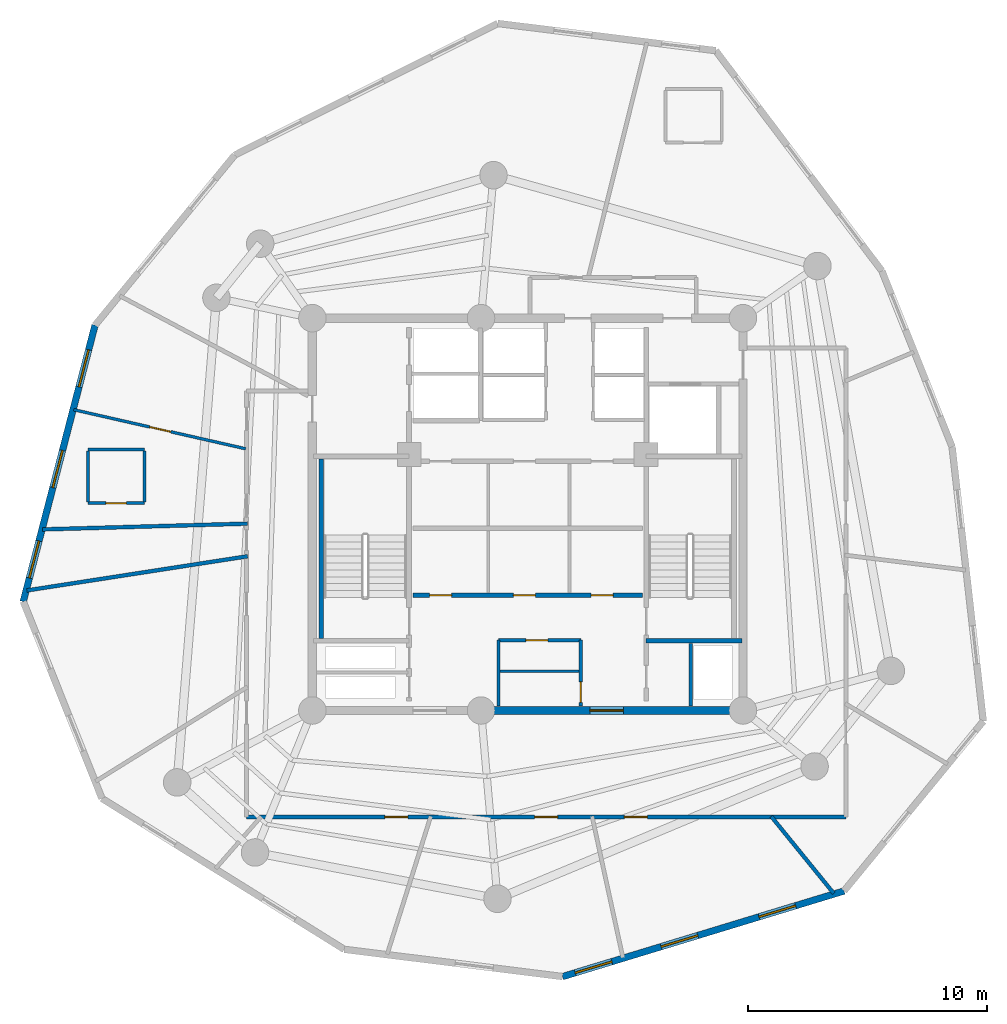
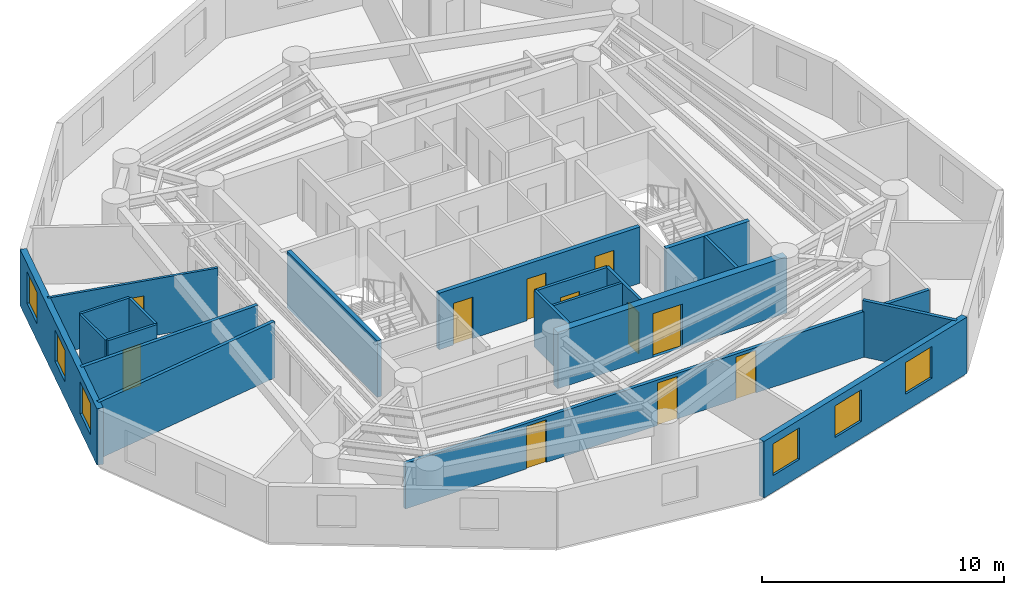
# One storey, part 3 of 7: 20 walls, 11 doors, 6 windows, 17 openings.
"""IFC4 building model written with IfcOpenShell, lengths in metres."""

from ifc_helpers import new_model, si_unit, direction, frame, frame_2d, origin, origin_with_axes, place, context, subcontext, project, spatial, rectangle, extrude, source, transform, mapped, material, layer, layer_set, type_object, element, fill, save


model = new_model("IFC4")

# Units and contexts
model_context = context("Model", 3, precision=1e-05, world=origin(), true_north=direction((0.0, 1.0)))
body_context = subcontext(model_context, "Body", "Model", "MODEL_VIEW")
ifc_project = project(units=[si_unit("LENGTHUNIT", "METRE"), si_unit("AREAUNIT", "SQUARE_METRE"), si_unit("VOLUMEUNIT", "CUBIC_METRE"), si_unit("PLANEANGLEUNIT", "RADIAN"), si_unit("MASSUNIT", "GRAM", prefix="KILO")], contexts=[model_context])

# Site, building, storey
site_placement = place(None, origin())
site = spatial("IfcSite", under=ifc_project, at=site_placement, CompositionType="ELEMENT")
building_placement = place(site_placement, origin())
building = spatial("IfcBuilding", under=site, at=building_placement, Name="Karkom Vertical University and Central Library", CompositionType="ELEMENT")
storey_placement = place(building_placement, frame((0.0, 0.0, 241.300048828125)))
storey = spatial("IfcBuildingStorey", under=building, at=storey_placement, Name="L71", CompositionType="ELEMENT", Elevation=241.300048828125)

# Wall, openings, windows
ifc_material_1 = material(Name="Brick-faced precast concrete C45/55", Category="masonry")
ifc_layer_1 = layer(ifc_material_1, 0.280029296875)
ifc_layer_set_1 = layer_set([ifc_layer_1], Name="Brick-faced precast concrete C45/55")
wall_type_1 = type_object("IfcWallType", Name="ENV-WL-BRK-280", PredefinedType="SOLIDWALL", material=ifc_layer_set_1)
wall_1_placement = place(storey_placement, frame((29.958740234375, 7.174072265625, 0.0), z_axis=(0.0, 0.0, 1.0), x_axis=(0.956678206712, 0.291147400474, 0.0)))
wall_1 = element("IfcWall", 1, at=wall_1_placement, inside=storey, type_object=wall_type_1, Name="Level 71 Brick-Faced Precast Facade Wall 04", PredefinedType="SOLIDWALL", context=body_context, shape_type="SweptSolid", body=[
    extrude(rectangle(XDim=12.301513671875, YDim=0.280029296875, at=frame_2d((6.15087890625, 0.0))), origin(), (0.0, 0.0, 1.0), 2.849853515625),
])
opening_1_placement = place(wall_1_placement, frame((0.55322265625, 0.0, 0.85009765625)))
opening_1 = element("IfcOpeningElement", 2, at=opening_1_placement, cuts=wall_1, Name="Opening WN-10", PredefinedType="OPENING", context=body_context, shape_type="SweptSolid", body=[
    extrude(rectangle(XDim=1.60009765625, YDim=1.60009765625, at=frame_2d((0.800048828125, 0.800048828125))), frame((0.0, 0.14990234375, 0.0), z_axis=(0.0, -1.0, 0.0), x_axis=(1.0, 0.0, 0.0)), (0.0, 0.0, 1.0), 0.300048828125),
])
opening_2_placement = place(wall_1_placement, frame((4.306396484375, 0.0, 0.85009765625)))
opening_2 = element("IfcOpeningElement", 3, at=opening_2_placement, cuts=wall_1, Name="Opening WN-10", PredefinedType="OPENING", context=body_context, shape_type="SweptSolid", body=[
    extrude(rectangle(XDim=1.60009765625, YDim=1.60009765625, at=frame_2d((0.800048828125, 0.800048828125))), frame((0.0, 0.14990234375, 0.0), z_axis=(0.0, -1.0, 0.0), x_axis=(1.0, 0.0, 0.0)), (0.0, 0.0, 1.0), 0.300048828125),
])
opening_3_placement = place(wall_1_placement, frame((8.5859375, 0.0, 0.85009765625)))
opening_3 = element("IfcOpeningElement", 4, at=opening_3_placement, cuts=wall_1, Name="Opening WN-10", PredefinedType="OPENING", context=body_context, shape_type="SweptSolid", body=[
    extrude(rectangle(XDim=1.60009765625, YDim=1.60009765625, at=frame_2d((0.800048828125, 0.800048828125))), frame((0.0, 0.14990234375, 0.0), z_axis=(0.0, -1.0, 0.0), x_axis=(1.0, 0.0, 0.0)), (0.0, 0.0, 1.0), 0.300048828125),
])
ifc_material_2 = material(Name="Aluminium thermal-break frame with solar-control IGU", Category="aluminium")
window_type = type_object("IfcWindowType", Name="ENV-WIN-WN-10", PartitioningType="SINGLE_PANEL", PredefinedType="WINDOW", material=ifc_material_2)
shared_shape_1 = source(origin_with_axes(), body_context, "Body", "SweptSolid", [
    extrude(rectangle(XDim=1.60009765625, YDim=1.60009765625, at=frame_2d((0.800048828125, 0.800048828125))), frame((0.0, 0.030029296875, 0.0), z_axis=(0.0, -1.0, 0.0), x_axis=(1.0, 0.0, 0.0)), (0.0, 0.0, 1.0), 0.06005859375),
])
window_1_placement = place(opening_1_placement, origin())
window_1 = element("IfcWindow", 5, at=window_1_placement, inside=storey, type_object=window_type, Name="Level 71 Punched Window 4.1", OverallHeight=1.60009765625, OverallWidth=1.60009765625, PartitioningType="SINGLE_PANEL", PredefinedType="WINDOW", context=body_context, shape_type="MappedRepresentation", body=[
    mapped(shared_shape_1, transform((0.0, 0.0, 0.0), scale=1.0)),
])
fill(opening_1, window_1)
window_2_placement = place(opening_2_placement, origin())
window_2 = element("IfcWindow", 6, at=window_2_placement, inside=storey, type_object=window_type, Name="Level 71 Punched Window 4.2", OverallHeight=1.60009765625, OverallWidth=1.60009765625, PartitioningType="SINGLE_PANEL", PredefinedType="WINDOW", context=body_context, shape_type="MappedRepresentation", body=[
    mapped(shared_shape_1, transform((0.0, 0.0, 0.0), scale=1.0)),
])
fill(opening_2, window_2)
window_3_placement = place(opening_3_placement, origin())
window_3 = element("IfcWindow", 7, at=window_3_placement, inside=storey, type_object=window_type, Name="Level 71 Punched Window 4.3", OverallHeight=1.60009765625, OverallWidth=1.60009765625, PartitioningType="SINGLE_PANEL", PredefinedType="WINDOW", context=body_context, shape_type="MappedRepresentation", body=[
    mapped(shared_shape_1, transform((0.0, 0.0, 0.0), scale=1.0)),
])
fill(opening_3, window_3)

wall_2_placement = place(storey_placement, frame((10.414306640625, 34.407470703125, 0.0), z_axis=(0.0, 0.0, 1.0), x_axis=(-0.251342621203, -0.967898179958, 0.0)))
wall_2 = element("IfcWall", 8, at=wall_2_placement, inside=storey, type_object=wall_type_1, Name="Level 71 Brick-Faced Precast Facade Wall 12", PredefinedType="SOLIDWALL", context=body_context, shape_type="SweptSolid", body=[
    extrude(rectangle(XDim=11.935791015625, YDim=0.280029296875, at=frame_2d((5.9677734375, 0.0))), origin(), (0.0, 0.0, 1.0), 2.849853515625),
])
opening_4_placement = place(wall_2_placement, frame((1.061279296875, 0.0, 0.85009765625)))
opening_4 = element("IfcOpeningElement", 9, at=opening_4_placement, cuts=wall_2, Name="Opening WN-10", PredefinedType="OPENING", context=body_context, shape_type="SweptSolid", body=[
    extrude(rectangle(XDim=1.60009765625, YDim=1.60009765625, at=frame_2d((0.800048828125, 0.800048828125))), frame((0.0, 0.14990234375, 0.0), z_axis=(0.0, -1.0, 0.0), x_axis=(1.0, 0.0, 0.0)), (0.0, 0.0, 1.0), 0.300048828125),
])
opening_5_placement = place(wall_2_placement, frame((5.4130859375, 0.0, 0.85009765625)))
opening_5 = element("IfcOpeningElement", 10, at=opening_5_placement, cuts=wall_2, Name="Opening WN-10", PredefinedType="OPENING", context=body_context, shape_type="SweptSolid", body=[
    extrude(rectangle(XDim=1.60009765625, YDim=1.60009765625, at=frame_2d((0.800048828125, 0.800048828125))), frame((0.0, 0.14990234375, 0.0), z_axis=(0.0, -1.0, 0.0), x_axis=(1.0, 0.0, 0.0)), (0.0, 0.0, 1.0), 0.300048828125),
])
opening_6_placement = place(wall_2_placement, frame((9.3193359375, 0.0, 0.85009765625)))
opening_6 = element("IfcOpeningElement", 11, at=opening_6_placement, cuts=wall_2, Name="Opening WN-10", PredefinedType="OPENING", context=body_context, shape_type="SweptSolid", body=[
    extrude(rectangle(XDim=1.60009765625, YDim=1.60009765625, at=frame_2d((0.800048828125, 0.800048828125))), frame((0.0, 0.14990234375, 0.0), z_axis=(0.0, -1.0, 0.0), x_axis=(1.0, 0.0, 0.0)), (0.0, 0.0, 1.0), 0.300048828125),
])
window_4_placement = place(opening_4_placement, origin())
window_4 = element("IfcWindow", 12, at=window_4_placement, inside=storey, type_object=window_type, Name="Level 71 Punched Window 12.1", OverallHeight=1.60009765625, OverallWidth=1.60009765625, PartitioningType="SINGLE_PANEL", PredefinedType="WINDOW", context=body_context, shape_type="MappedRepresentation", body=[
    mapped(shared_shape_1, transform((0.0, 0.0, 0.0), scale=1.0)),
])
fill(opening_4, window_4)
window_5_placement = place(opening_5_placement, origin())
window_5 = element("IfcWindow", 13, at=window_5_placement, inside=storey, type_object=window_type, Name="Level 71 Punched Window 12.2", OverallHeight=1.60009765625, OverallWidth=1.60009765625, PartitioningType="SINGLE_PANEL", PredefinedType="WINDOW", context=body_context, shape_type="MappedRepresentation", body=[
    mapped(shared_shape_1, transform((0.0, 0.0, 0.0), scale=1.0)),
])
fill(opening_5, window_5)
window_6_placement = place(opening_6_placement, origin())
window_6 = element("IfcWindow", 14, at=window_6_placement, inside=storey, type_object=window_type, Name="Level 71 Punched Window 12.3", OverallHeight=1.60009765625, OverallWidth=1.60009765625, PartitioningType="SINGLE_PANEL", PredefinedType="WINDOW", context=body_context, shape_type="MappedRepresentation", body=[
    mapped(shared_shape_1, transform((0.0, 0.0, 0.0), scale=1.0)),
])
fill(opening_6, window_6)

# Wall, openings, doors
ifc_material_3 = material(Name="Insulated metal-stud drywall 160mm", Category="gypsum")
ifc_layer_2 = layer(ifc_material_3, 0.159912109375)
ifc_layer_set_2 = layer_set([ifc_layer_2], Name="Insulated metal-stud drywall 160mm")
wall_type_2 = type_object("IfcWallType", Name="INT-WL-COR-160", PredefinedType="PARTITIONING", material=ifc_layer_set_2)
wall_3_placement = place(storey_placement, frame((41.800048828125, 13.85009765625, 0.0), z_axis=(0.0, 0.0, 1.0), x_axis=(-1.0, 0.0, 0.0)))
wall_3 = element("IfcWall", 15, at=wall_3_placement, inside=storey, type_object=wall_type_2, Name="Level 71 Interior Partition Wall L71-CORW-CW-001", PredefinedType="PARTITIONING", context=body_context, shape_type="SweptSolid", body=[
    extrude(rectangle(XDim=25.050048828125, YDim=0.159912109375, at=frame_2d((12.52490234375, 0.0))), origin(), (0.0, 0.0, 1.0), 2.300048828125),
])
opening_7_placement = place(wall_3_placement, frame((18.3125, 0.0, 0.0)))
opening_7 = element("IfcOpeningElement", 16, at=opening_7_placement, cuts=wall_3, Name="Opening FD-RM2", PredefinedType="OPENING", context=body_context, shape_type="SweptSolid", body=[
    extrude(rectangle(XDim=0.9599609375, YDim=2.14990234375, at=frame_2d((0.47998046875, 1.074951171875))), frame((0.0, 0.08984375, 0.0), z_axis=(0.0, -1.0, 0.0), x_axis=(1.0, 0.0, 0.0)), (0.0, 0.0, 1.0), 0.179931640625),
])
opening_8_placement = place(wall_3_placement, frame((12.050048828125, 0.0, 0.0)))
opening_8 = element("IfcOpeningElement", 17, at=opening_8_placement, cuts=wall_3, Name="Opening FD-RM2", PredefinedType="OPENING", context=body_context, shape_type="SweptSolid", body=[
    extrude(rectangle(XDim=0.9599609375, YDim=2.14990234375, at=frame_2d((0.47998046875, 1.074951171875))), frame((0.0, 0.08984375, 0.0), z_axis=(0.0, -1.0, 0.0), x_axis=(1.0, 0.0, 0.0)), (0.0, 0.0, 1.0), 0.179931640625),
])
opening_9_placement = place(wall_3_placement, frame((8.29248046875, 0.0, 0.0)))
opening_9 = element("IfcOpeningElement", 18, at=opening_9_placement, cuts=wall_3, Name="Opening FD-RM2", PredefinedType="OPENING", context=body_context, shape_type="SweptSolid", body=[
    extrude(rectangle(XDim=0.9599609375, YDim=2.14990234375, at=frame_2d((0.47998046875, 1.074951171875))), frame((0.0, 0.08984375, 0.0), z_axis=(0.0, -1.0, 0.0), x_axis=(1.0, 0.0, 0.0)), (0.0, 0.0, 1.0), 0.179931640625),
])
ifc_material_4 = material(Name="Fire-rated oak veneer door", Category="wood")
door_type_1 = type_object("IfcDoorType", Name="INT-DR-FRM2", OperationType="NOTDEFINED", PredefinedType="DOOR", material=ifc_material_4)
shared_shape_2 = source(origin_with_axes(), body_context, "Body", "SweptSolid", [
    extrude(rectangle(XDim=0.9599609375, YDim=2.14990234375, at=frame_2d((0.47998046875, 1.074951171875))), frame((0.0, 0.02490234375, 0.0), z_axis=(0.0, -1.0, 0.0), x_axis=(1.0, 0.0, 0.0)), (0.0, 0.0, 1.0), 0.050048828125),
])
door_1_placement = place(opening_7_placement, origin())
door_1 = element("IfcDoor", 19, at=door_1_placement, inside=storey, type_object=door_type_1, Name="Level 71 Room Entry Door 303", OperationType="SINGLE_SWING_LEFT", OverallHeight=2.14990234375, OverallWidth=0.9599609375, PredefinedType="DOOR", context=body_context, shape_type="MappedRepresentation", body=[
    mapped(shared_shape_2, transform((0.0, 0.0, 0.0), scale=1.0)),
])
fill(opening_7, door_1)
door_2_placement = place(opening_8_placement, origin())
door_2 = element("IfcDoor", 20, at=door_2_placement, inside=storey, type_object=door_type_1, Name="Level 71 Room Entry Door 304", OperationType="SINGLE_SWING_RIGHT", OverallHeight=2.14990234375, OverallWidth=0.9599609375, PredefinedType="DOOR", context=body_context, shape_type="MappedRepresentation", body=[
    mapped(shared_shape_2, transform((0.0, 0.0, 0.0), scale=1.0)),
])
fill(opening_8, door_2)
door_3_placement = place(opening_9_placement, origin())
door_3 = element("IfcDoor", 21, at=door_3_placement, inside=storey, type_object=door_type_1, Name="Level 71 Room Entry Door 305", OperationType="SINGLE_SWING_LEFT", OverallHeight=2.14990234375, OverallWidth=0.9599609375, PredefinedType="DOOR", context=body_context, shape_type="MappedRepresentation", body=[
    mapped(shared_shape_2, transform((0.0, 0.0, 0.0), scale=1.0)),
])
fill(opening_9, door_3)

# Walls
wall_4_placement = place(storey_placement, frame((16.79443359375, 24.747802734375, 0.0), z_axis=(0.0, 0.0, 1.0), x_axis=(-0.98821552916, -0.153068833948, 0.0)))
element("IfcWall", 22, at=wall_4_placement, inside=storey, type_object=wall_type_2, Name="Level 71 Interior Partition Wall L71-PW-001", PredefinedType="PARTITIONING", context=body_context, shape_type="SweptSolid", body=[
    extrude(rectangle(XDim=9.338623046875, YDim=0.159912109375, at=frame_2d((4.66943359375, 0.0))), origin(), (0.0, 0.0, 1.0), 2.849853515625),
])
wall_5_placement = place(storey_placement, frame((8.2255859375, 25.8701171875, 0.0), z_axis=(0.0, 0.0, 1.0), x_axis=(0.999604899221, 0.02810774723, 0.0)))
element("IfcWall", 23, at=wall_5_placement, inside=storey, type_object=wall_type_2, Name="Level 71 Interior Partition Wall L71-PW-002", PredefinedType="PARTITIONING", context=body_context, shape_type="SweptSolid", body=[
    extrude(rectangle(XDim=8.572998046875, YDim=0.159912109375, at=frame_2d((4.28662109375, 0.0))), origin(), (0.0, 0.0, 1.0), 2.849853515625),
])
wall_6_placement = place(storey_placement, frame((38.680908203125, 13.873291015625, 0.0), z_axis=(0.0, 0.0, 1.0), x_axis=(0.630543857515, -0.776153621231, 0.0)))
element("IfcWall", 24, at=wall_6_placement, inside=storey, type_object=wall_type_2, Name="Level 71 Interior Partition Wall L71-PW-009", PredefinedType="PARTITIONING", context=body_context, shape_type="SweptSolid", body=[
    extrude(rectangle(XDim=4.146484375, YDim=0.159912109375, at=frame_2d((2.0732421875, 0.0))), origin(), (0.0, 0.0, 1.0), 2.849853515625),
])

# Wall, opening, door
ifc_material_5 = material(Name="Moisture-resistant drywall 120mm", Category="gypsum")
ifc_layer_3 = layer(ifc_material_5, 0.1201171875)
ifc_layer_set_3 = layer_set([ifc_layer_3], Name="Moisture-resistant drywall 120mm")
wall_type_3 = type_object("IfcWallType", Name="INT-WL-INT-120", PredefinedType="PARTITIONING", material=ifc_layer_set_3)
wall_7_placement = place(storey_placement, frame((16.7138671875, 29.240234375, 0.0), z_axis=(0.0, 0.0, 1.0), x_axis=(-0.975127977507, 0.221642566947, 0.0)))
wall_7 = element("IfcWall", 25, at=wall_7_placement, inside=storey, type_object=wall_type_3, Name="Level 71 Interior Partition Wall L71-APT-12-DIV", PredefinedType="PARTITIONING", context=body_context, shape_type="SweptSolid", body=[
    extrude(rectangle(XDim=7.37451171875, YDim=0.1201171875, at=frame_2d((3.687255859375, 0.0))), origin(), (0.0, 0.0, 1.0), 2.849853515625),
])
opening_10_placement = place(wall_7_placement, frame((3.21240234375, 0.0, 0.0)))
opening_10 = element("IfcOpeningElement", 26, at=opening_10_placement, cuts=wall_7, Name="Opening D-INT1", PredefinedType="OPENING", context=body_context, shape_type="SweptSolid", body=[
    extrude(rectangle(XDim=0.89990234375, YDim=2.10009765625, at=frame_2d((0.449951171875, 1.050048828125))), frame((0.0, 0.070068359375, 0.0), z_axis=(0.0, -1.0, 0.0), x_axis=(1.0, 0.0, 0.0)), (0.0, 0.0, 1.0), 0.14013671875),
])
ifc_material_6 = material(Name="Painted solid-core timber door", Category="wood")
door_type_2 = type_object("IfcDoorType", Name="INT-DR-INT1", OperationType="NOTDEFINED", PredefinedType="DOOR", material=ifc_material_6)
shared_shape_3 = source(origin_with_axes(), body_context, "Body", "SweptSolid", [
    extrude(rectangle(XDim=0.89990234375, YDim=2.10009765625, at=frame_2d((0.449951171875, 1.050048828125))), frame((0.0, 0.02490234375, 0.0), z_axis=(0.0, -1.0, 0.0), x_axis=(1.0, 0.0, 0.0)), (0.0, 0.0, 1.0), 0.050048828125),
])
door_4_placement = place(opening_10_placement, origin())
door_4 = element("IfcDoor", 27, at=door_4_placement, inside=storey, type_object=door_type_2, Name="Level 71 Flat L71-12 Internal Door", OperationType="SINGLE_SWING_RIGHT", OverallHeight=2.10009765625, OverallWidth=0.89990234375, PredefinedType="DOOR", context=body_context, shape_type="MappedRepresentation", body=[
    mapped(shared_shape_3, transform((0.0, 0.0, 0.0), scale=1.0)),
])
fill(opening_10, door_4)

# Wall
wall_8_placement = place(storey_placement, frame((27.280029296875, 19.93994140625, 0.0), z_axis=(0.0, 0.0, 1.0), x_axis=(1.0, 0.0, 0.0)))
element("IfcWall", 28, at=wall_8_placement, inside=storey, type_object=wall_type_3, Name="Level 71 Interior Partition Wall L71-CW-K4-DIV", PredefinedType="PARTITIONING", context=body_context, shape_type="SweptSolid", body=[
    extrude(rectangle(XDim=3.43994140625, YDim=0.1201171875, at=frame_2d((1.719970703125, 0.0))), origin(), (0.0, 0.0, 1.0), 2.849853515625),
])

# Wall, opening, door
ifc_layer_4 = layer(ifc_material_5, 0.1201171875)
ifc_layer_set_4 = layer_set([ifc_layer_4], Name="Moisture-resistant drywall 120mm")
wall_type_4 = type_object("IfcWallType", Name="INT-WL-INT-120F", PredefinedType="PARTITIONING", material=ifc_layer_set_4)
wall_9_placement = place(storey_placement, frame((10.1201171875, 26.968017578125, 0.0), z_axis=(0.0, 0.0, 1.0), x_axis=(1.0, 0.0, 0.0)))
wall_9 = element("IfcWall", 29, at=wall_9_placement, inside=storey, type_object=wall_type_4, Name="Level 71 Interior Partition Wall L71-ENS-51-S", PredefinedType="PARTITIONING", context=body_context, shape_type="SweptSolid", body=[
    extrude(rectangle(XDim=2.35986328125, YDim=0.1201171875, at=frame_2d((1.179931640625, 0.0))), origin(), (0.0, 0.0, 1.0), 2.849853515625),
])
opening_11_placement = place(wall_9_placement, frame((0.75, 0.0, 0.0)))
opening_11 = element("IfcOpeningElement", 30, at=opening_11_placement, cuts=wall_9, Name="Opening D-BATH", PredefinedType="OPENING", context=body_context, shape_type="SweptSolid", body=[
    extrude(rectangle(XDim=0.860107421875, YDim=2.10009765625, at=frame_2d((0.43017578125, 1.050048828125))), frame((0.0, 0.070068359375, 0.0), z_axis=(0.0, -1.0, 0.0), x_axis=(1.0, 0.0, 0.0)), (0.0, 0.0, 1.0), 0.14013671875),
])
ifc_material_7 = material(Name="Moisture-resistant oak door", Category="wood")
door_type_3 = type_object("IfcDoorType", Name="INT-DR-BATH", OperationType="NOTDEFINED", PredefinedType="DOOR", material=ifc_material_7)
shared_shape_4 = source(origin_with_axes(), body_context, "Body", "SweptSolid", [
    extrude(rectangle(XDim=0.860107421875, YDim=2.10009765625, at=frame_2d((0.43017578125, 1.050048828125))), frame((0.0, 0.02490234375, 0.0), z_axis=(0.0, -1.0, 0.0), x_axis=(1.0, 0.0, 0.0)), (0.0, 0.0, 1.0), 0.050048828125),
])
door_5_placement = place(opening_11_placement, origin())
door_5 = element("IfcDoor", 31, at=door_5_placement, inside=storey, type_object=door_type_3, Name="Level 71 En-Suite Bathroom Door 51", OperationType="SINGLE_SWING_LEFT", OverallHeight=2.10009765625, OverallWidth=0.860107421875, PredefinedType="DOOR", context=body_context, shape_type="MappedRepresentation", body=[
    mapped(shared_shape_4, transform((0.0, 0.0, 0.0), scale=1.0)),
])
fill(opening_11, door_5)

# Walls
wall_10_placement = place(storey_placement, frame((12.47998046875, 29.2080078125, 0.0), z_axis=(0.0, 0.0, 1.0), x_axis=(-1.0, 0.0, 0.0)))
element("IfcWall", 32, at=wall_10_placement, inside=storey, type_object=wall_type_4, Name="Level 71 Interior Partition Wall L71-ENS-51-N", PredefinedType="PARTITIONING", context=body_context, shape_type="SweptSolid", body=[
    extrude(rectangle(XDim=2.35986328125, YDim=0.1201171875, at=frame_2d((1.179931640625, 0.0))), origin(), (0.0, 0.0, 1.0), 2.849853515625),
])
for number, where, z_axis, x_axis, name in (
    (33, (12.47998046875, 27.01806640625, 0.0), (0.0, 0.0, 1.0), (0.0, 1.0, 0.0), "Level 71 Interior Partition Wall L71-ENS-51-E"),
    (34, (10.1201171875, 29.157958984375, 0.0), (0.0, 0.0, 1.0), (0.0, -1.0, 0.0), "Level 71 Interior Partition Wall L71-ENS-51-W"),
):
    element("IfcWall", number, at=place(storey_placement, frame(where, z_axis=z_axis, x_axis=x_axis)), inside=storey, type_object=wall_type_4, Name=name, PredefinedType="PARTITIONING", context=body_context, shape_type="SweptSolid", body=[
        extrude(rectangle(XDim=2.139892578125, YDim=0.1201171875, at=frame_2d((1.06982421875, 0.0))), origin(), (0.0, 0.0, 1.0), 2.849853515625),
    ])

# Wall, opening, door
ifc_material_8 = material(Name="Metal-stud gypsum partition 140mm", Category="gypsum")
ifc_layer_5 = layer(ifc_material_8, 0.139892578125)
ifc_layer_set_5 = layer_set([ifc_layer_5], Name="Metal-stud gypsum partition 140mm")
wall_type_5 = type_object("IfcWallType", Name="INT-WL-SUB-140", PredefinedType="PARTITIONING", material=ifc_layer_set_5)
wall_11_placement = place(storey_placement, frame((27.280029296875, 21.239990234375, 0.0), z_axis=(0.0, 0.0, 1.0), x_axis=(1.0, 0.0, 0.0)))
wall_11 = element("IfcWall", 35, at=wall_11_placement, inside=storey, type_object=wall_type_5, Name="Level 71 Interior Partition Wall L71-CW-KBAY-N", PredefinedType="PARTITIONING", context=body_context, shape_type="SweptSolid", body=[
    extrude(rectangle(XDim=3.43994140625, YDim=0.139892578125, at=frame_2d((1.719970703125, 0.0))), origin(), (0.0, 0.0, 1.0), 2.849853515625),
])
opening_12_placement = place(wall_11_placement, frame((1.14990234375, 0.0, 0.0)))
opening_12 = element("IfcOpeningElement", 36, at=opening_12_placement, cuts=wall_11, Name="Opening D-SVC1", PredefinedType="OPENING", context=body_context, shape_type="SweptSolid", body=[
    extrude(rectangle(XDim=0.919921875, YDim=2.10009765625, at=frame_2d((0.4599609375, 1.050048828125))), frame((0.0, 0.080078125, 0.0), z_axis=(0.0, -1.0, 0.0), x_axis=(1.0, 0.0, 0.0)), (0.0, 0.0, 1.0), 0.159912109375),
])
ifc_material_9 = material(Name="Painted timber service door", Category="wood")
door_type_4 = type_object("IfcDoorType", Name="INT-DR-SVC1", OperationType="NOTDEFINED", PredefinedType="DOOR", material=ifc_material_9)
shared_shape_5 = source(origin_with_axes(), body_context, "Body", "SweptSolid", [
    extrude(rectangle(XDim=0.919921875, YDim=2.10009765625, at=frame_2d((0.4599609375, 1.050048828125))), frame((0.0, 0.02490234375, 0.0), z_axis=(0.0, -1.0, 0.0), x_axis=(1.0, 0.0, 0.0)), (0.0, 0.0, 1.0), 0.050048828125),
])
door_6_placement = place(opening_12_placement, origin())
door_6 = element("IfcDoor", 37, at=door_6_placement, inside=storey, type_object=door_type_4, Name="Level 71 Valve Cupboard Door", OperationType="SINGLE_SWING_LEFT", OverallHeight=2.10009765625, OverallWidth=0.919921875, PredefinedType="DOOR", context=body_context, shape_type="MappedRepresentation", body=[
    mapped(shared_shape_5, transform((0.0, 0.0, 0.0), scale=1.0)),
])
fill(opening_12, door_6)

# Wall
wall_12_placement = place(storey_placement, frame((27.280029296875, 18.48193359375, 0.0), z_axis=(0.0, 0.0, 1.0), x_axis=(0.0, 1.0, 0.0)))
element("IfcWall", 38, at=wall_12_placement, inside=storey, type_object=wall_type_5, Name="Level 71 Interior Partition Wall L71-CW-KBAY-W", PredefinedType="PARTITIONING", context=body_context, shape_type="SweptSolid", body=[
    extrude(rectangle(XDim=2.758056640625, YDim=0.139892578125, at=frame_2d((1.37890625, 0.0))), origin(), (0.0, 0.0, 1.0), 2.849853515625),
])

# Wall, opening, door
wall_13_placement = place(storey_placement, frame((30.719970703125, 18.48193359375, 0.0), z_axis=(0.0, 0.0, 1.0), x_axis=(0.0, 1.0, 0.0)))
wall_13 = element("IfcWall", 39, at=wall_13_placement, inside=storey, type_object=wall_type_5, Name="Level 71 Interior Partition Wall L71-CW-KBAY-E", PredefinedType="PARTITIONING", context=body_context, shape_type="SweptSolid", body=[
    extrude(rectangle(XDim=2.758056640625, YDim=0.139892578125, at=frame_2d((1.37890625, 0.0))), origin(), (0.0, 0.0, 1.0), 2.849853515625),
])
opening_13_placement = place(wall_13_placement, frame((0.159912109375, 0.0, 0.0)))
opening_13 = element("IfcOpeningElement", 40, at=opening_13_placement, cuts=wall_13, Name="Opening FD-BTH1", PredefinedType="OPENING", context=body_context, shape_type="SweptSolid", body=[
    extrude(rectangle(XDim=0.860107421875, YDim=2.10009765625, at=frame_2d((0.43017578125, 1.050048828125))), frame((0.0, 0.080078125, 0.0), z_axis=(0.0, -1.0, 0.0), x_axis=(1.0, 0.0, 0.0)), (0.0, 0.0, 1.0), 0.159912109375),
])
ifc_material_10 = material(Name="Fire-rated moisture-resistant oak door", Category="wood")
door_type_5 = type_object("IfcDoorType", Name="INT-DR-FBTH1", OperationType="NOTDEFINED", PredefinedType="DOOR", material=ifc_material_10)
door_7_placement = place(opening_13_placement, origin())
door_7 = element("IfcDoor", 41, at=door_7_placement, inside=storey, type_object=door_type_5, Name="Level 71 Metering Cupboard Door", OperationType="SINGLE_SWING_RIGHT", OverallHeight=2.10009765625, OverallWidth=0.860107421875, PredefinedType="DOOR", context=body_context, shape_type="MappedRepresentation", body=[
    mapped(shared_shape_4, transform((0.0, 0.0, 0.0), scale=1.0)),
])
fill(opening_13, door_7)

# Wall
ifc_layer_6 = layer(ifc_material_8, 0.139892578125)
ifc_layer_set_6 = layer_set([ifc_layer_6], Name="Metal-stud gypsum partition 140mm")
wall_type_6 = type_object("IfcWallType", Name="INT-WL-SUB-140H", PredefinedType="PARTITIONING", material=ifc_layer_set_6)
wall_14_placement = place(storey_placement, frame((35.320068359375, 18.48193359375, 0.0), z_axis=(0.0, 0.0, 1.0), x_axis=(0.0, 1.0, 0.0)))
element("IfcWall", 42, at=wall_14_placement, inside=storey, type_object=wall_type_6, Name="Level 71 Interior Partition Wall L71-CW-RIS-E", PredefinedType="PARTITIONING", context=body_context, shape_type="SweptSolid", body=[
    extrude(rectangle(XDim=2.629150390625, YDim=0.139892578125, at=frame_2d((1.314453125, 0.0))), origin(), (0.0, 0.0, 1.0), 2.849853515625),
])

# Wall, opening, door
ifc_material_11 = material(Name="Concrete C45/55", Category="concrete")
ifc_layer_7 = layer(ifc_material_11, 0.35009765625)
ifc_layer_set_7 = layer_set([ifc_layer_7], Name="Concrete C45/55")
wall_type_7 = type_object("IfcWallType", Name="STR-WL-CW-350", PredefinedType="SHEAR", material=ifc_layer_set_7)
wall_15_placement = place(storey_placement, frame((26.550048828125, 18.300048828125, 0.0), z_axis=(0.0, 0.0, 1.0), x_axis=(1.0, 0.0, 0.0)))
wall_15 = element("IfcWall", 43, at=wall_15_placement, inside=storey, type_object=wall_type_7, Name="Level 71 Central Core Shear Wall SW2", PredefinedType="SHEAR", context=body_context, shape_type="SweptSolid", body=[
    extrude(rectangle(XDim=10.949951171875, YDim=0.35009765625, at=frame_2d((5.47509765625, 0.0))), origin(), (0.0, 0.0, 1.0), 2.849853515625),
])
opening_14_placement = place(wall_15_placement, frame((4.550048828125, 0.0, 0.0)))
opening_14 = element("IfcOpeningElement", 44, at=opening_14_placement, cuts=wall_15, Name="Opening FD-CLB", PredefinedType="OPENING", context=body_context, shape_type="SweptSolid", body=[
    extrude(rectangle(XDim=1.39990234375, YDim=2.199951171875, at=frame_2d((0.699951171875, 1.10009765625))), frame((0.0, 0.18505859375, 0.0), z_axis=(0.0, -1.0, 0.0), x_axis=(1.0, 0.0, 0.0)), (0.0, 0.0, 1.0), 0.3701171875),
])
ifc_material_12 = material(Name="Painted steel fire door", Category="steel")
door_type_6 = type_object("IfcDoorType", Name="INT-DR-CLB", OperationType="DOUBLE_DOOR_SINGLE_SWING", PredefinedType="DOOR", material=ifc_material_12)
shared_shape_6 = source(origin_with_axes(), body_context, "Body", "SweptSolid", [
    extrude(rectangle(XDim=1.39990234375, YDim=2.199951171875, at=frame_2d((0.699951171875, 1.10009765625))), frame((0.0, 0.02490234375, 0.0), z_axis=(0.0, -1.0, 0.0), x_axis=(1.0, 0.0, 0.0)), (0.0, 0.0, 1.0), 0.050048828125),
])
door_8_placement = place(opening_14_placement, origin())
door_8 = element("IfcDoor", 45, at=door_8_placement, inside=storey, type_object=door_type_6, Name="Level 71 South Core Lobby East Exit Door", OperationType="DOUBLE_DOOR_SINGLE_SWING", OverallHeight=2.199951171875, OverallWidth=1.39990234375, PredefinedType="DOOR", context=body_context, shape_type="MappedRepresentation", body=[
    mapped(shared_shape_6, transform((0.0, 0.0, 0.0), scale=1.0)),
])
fill(opening_14, door_8)

# Wall, openings, doors
ifc_layer_8 = layer(ifc_material_11, 0.199951171875)
ifc_layer_set_8 = layer_set([ifc_layer_8], Name="Concrete C45/55")
wall_type_8 = type_object("IfcWallType", Name="STR-WL-ST-200", PredefinedType="SHEAR", material=ifc_layer_set_8)
wall_16_placement = place(storey_placement, frame((23.699951171875, 23.1201171875, 0.0), z_axis=(0.0, 0.0, 1.0), x_axis=(1.0, 0.0, 0.0)))
wall_16 = element("IfcWall", 46, at=wall_16_placement, inside=storey, type_object=wall_type_8, Name="Level 71 Core Shaft Wall L71-CW-B1-S", PredefinedType="SHEAR", context=body_context, shape_type="SweptSolid", body=[
    extrude(rectangle(XDim=9.60009765625, YDim=0.199951171875, at=frame_2d((4.800048828125, 0.0))), origin(), (0.0, 0.0, 1.0), 2.849853515625),
])
opening_15_placement = place(wall_16_placement, frame((0.699951171875, 0.0, 0.0)))
opening_15 = element("IfcOpeningElement", 47, at=opening_15_placement, cuts=wall_16, Name="Opening D-SVC1", PredefinedType="OPENING", context=body_context, shape_type="SweptSolid", body=[
    extrude(rectangle(XDim=0.919921875, YDim=2.10009765625, at=frame_2d((0.4599609375, 1.050048828125))), frame((0.0, 0.10986328125, 0.0), z_axis=(0.0, -1.0, 0.0), x_axis=(1.0, 0.0, 0.0)), (0.0, 0.0, 1.0), 0.219970703125),
])
opening_16_placement = place(wall_16_placement, frame((4.199951171875, 0.0, 0.0)))
opening_16 = element("IfcOpeningElement", 48, at=opening_16_placement, cuts=wall_16, Name="Opening D-SVC1", PredefinedType="OPENING", context=body_context, shape_type="SweptSolid", body=[
    extrude(rectangle(XDim=0.919921875, YDim=2.10009765625, at=frame_2d((0.4599609375, 1.050048828125))), frame((0.0, 0.10986328125, 0.0), z_axis=(0.0, -1.0, 0.0), x_axis=(1.0, 0.0, 0.0)), (0.0, 0.0, 1.0), 0.219970703125),
])
opening_17_placement = place(wall_16_placement, frame((7.449951171875, 0.0, 0.0)))
opening_17 = element("IfcOpeningElement", 49, at=opening_17_placement, cuts=wall_16, Name="Opening D-SVC1", PredefinedType="OPENING", context=body_context, shape_type="SweptSolid", body=[
    extrude(rectangle(XDim=0.919921875, YDim=2.10009765625, at=frame_2d((0.4599609375, 1.050048828125))), frame((0.0, 0.10986328125, 0.0), z_axis=(0.0, -1.0, 0.0), x_axis=(1.0, 0.0, 0.0)), (0.0, 0.0, 1.0), 0.219970703125),
])
door_9_placement = place(opening_15_placement, origin())
door_9 = element("IfcDoor", 50, at=door_9_placement, inside=storey, type_object=door_type_4, Name="Level 71 B1 Store A Door", OperationType="SINGLE_SWING_RIGHT", OverallHeight=2.10009765625, OverallWidth=0.919921875, PredefinedType="DOOR", context=body_context, shape_type="MappedRepresentation", body=[
    mapped(shared_shape_5, transform((0.0, 0.0, 0.0), scale=1.0)),
])
fill(opening_15, door_9)
door_10_placement = place(opening_16_placement, origin())
door_10 = element("IfcDoor", 51, at=door_10_placement, inside=storey, type_object=door_type_4, Name="Level 71 B1 Comms Door", OperationType="SINGLE_SWING_LEFT", OverallHeight=2.10009765625, OverallWidth=0.919921875, PredefinedType="DOOR", context=body_context, shape_type="MappedRepresentation", body=[
    mapped(shared_shape_5, transform((0.0, 0.0, 0.0), scale=1.0)),
])
fill(opening_16, door_10)
door_11_placement = place(opening_17_placement, origin())
door_11 = element("IfcDoor", 52, at=door_11_placement, inside=storey, type_object=door_type_4, Name="Level 71 B1 Store C Door", OperationType="SINGLE_SWING_RIGHT", OverallHeight=2.10009765625, OverallWidth=0.919921875, PredefinedType="DOOR", context=body_context, shape_type="MappedRepresentation", body=[
    mapped(shared_shape_5, transform((0.0, 0.0, 0.0), scale=1.0)),
])
fill(opening_17, door_11)

# Walls
wall_17_placement = place(storey_placement, frame((19.875, 21.320068359375, 0.0), z_axis=(0.0, 0.0, 1.0), x_axis=(0.0, 1.0, 0.0)))
element("IfcWall", 53, at=wall_17_placement, inside=storey, type_object=wall_type_8, Name="Level 71 Core Shaft Wall L71-CW-ST1-W", PredefinedType="SHEAR", context=body_context, shape_type="SweptSolid", body=[
    extrude(rectangle(XDim=7.5, YDim=0.199951171875, at=frame_2d((3.75, 0.0))), origin(), (0.0, 0.0, 1.0), 2.849853515625),
])
wall_18_placement = place(storey_placement, frame((33.455078125, 21.215087890625, 0.0), z_axis=(0.0, 0.0, 1.0), x_axis=(1.0, 0.0, 0.0)))
element("IfcWall", 54, at=wall_18_placement, inside=storey, type_object=wall_type_8, Name="Level 71 Core Shaft Wall L71-CW-ST2-S", PredefinedType="SHEAR", context=body_context, shape_type="SweptSolid", body=[
    extrude(rectangle(XDim=3.994873046875, YDim=0.199951171875, at=frame_2d((1.99755859375, 0.0))), origin(), (0.0, 0.0, 1.0), 2.849853515625),
])

save(model, "model.ifc")
